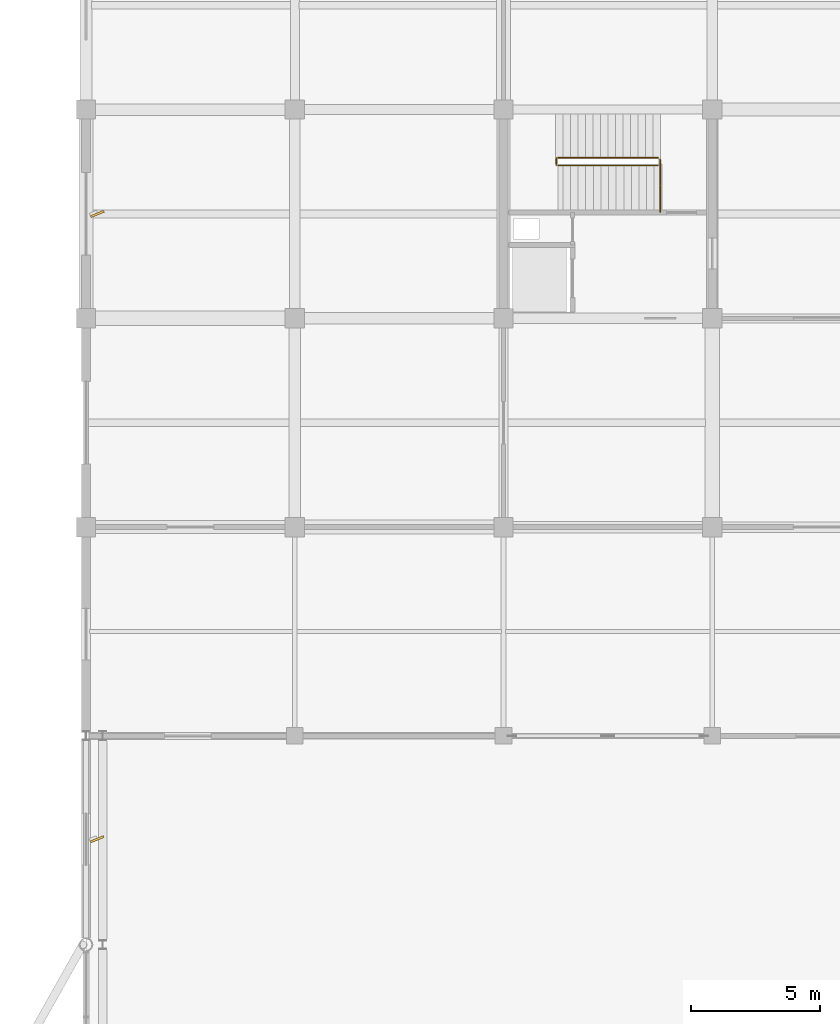
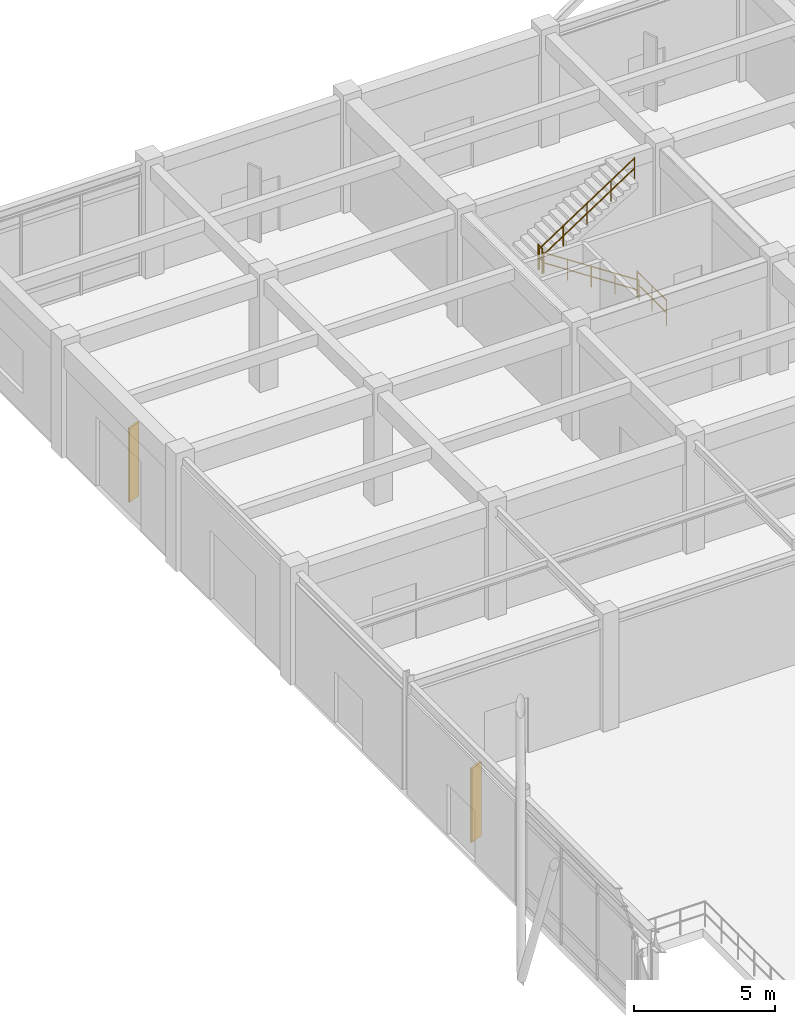
# One storey, part 92 of 99: 4 railings, 2 shading devices.
"""IFC4 building model written with IfcOpenShell, lengths in metres."""

from ifc_helpers import new_model, si_unit, direction, frame, origin, origin_2d, place, context, subcontext, project, spatial, rectangle, circle, extrude, material, type_object, element, save


model = new_model("IFC4")

# Units and contexts
model_context = context("Model", 3, precision=1e-05, world=origin(), true_north=direction((0.0, 1.0)))
body_context = subcontext(model_context, "Body", "Model", "MODEL_VIEW")
ifc_project = project(units=[si_unit("LENGTHUNIT", "METRE"), si_unit("AREAUNIT", "SQUARE_METRE"), si_unit("VOLUMEUNIT", "CUBIC_METRE"), si_unit("PLANEANGLEUNIT", "RADIAN"), si_unit("MASSUNIT", "GRAM", prefix="KILO")], contexts=[model_context])

# Site, building, storey
site_placement = place(None, origin())
site = spatial("IfcSite", under=ifc_project, at=site_placement, CompositionType="ELEMENT")
building_placement = place(site_placement, origin())
building = spatial("IfcBuilding", under=site, at=building_placement, Name="Vaudrelin Polytechnic", CompositionType="ELEMENT")
storey_placement = place(building_placement, origin())
storey = spatial("IfcBuildingStorey", under=building, at=storey_placement, Name="L00", CompositionType="ELEMENT", Elevation=0.0)

# Shading devices
ifc_material_1 = material(Name="Anodised perforated aluminium AA 5005", Category="aluminium")
shading_device_type = type_object("IfcShadingDeviceType", Name="ENV-SF-FIN1", PredefinedType="USERDEFINED", material=ifc_material_1)
for number, where, z_axis, x_axis, name in (
    (1, (0.429931640625, 85.0888671875, 0.2001953125), (0.0, 0.0, 1.0), (0.927183854567, 0.374606593416, 0.0), "Perforated solar fin SF-001"),
    (2, (0.43994140625, 109.35009765625, 0.2001953125), (0.0, 0.0, 1.0), (0.927183854567, 0.374606593416, 0.0), "Perforated solar fin SF-002"),
):
    element("IfcShadingDevice", number, at=place(storey_placement, frame(where, z_axis=z_axis, x_axis=x_axis)), inside=storey, type_object=shading_device_type, Name=name, ObjectType="SOLAR FIN", PredefinedType="USERDEFINED", context=body_context, shape_type="SweptSolid", body=[
        extrude(rectangle(XDim=0.550048828125, YDim=0.080078125, at=origin_2d()), origin(), (0.0, 0.0, 1.0), 3.199951171875),
    ])

# Railings
ifc_material_2 = material(Name="Brushed stainless steel AISI 304", Category="steel")
railing_type_1 = type_object("IfcRailingType", Name="RAL-GR-INT", PredefinedType="GUARDRAIL", material=ifc_material_2)
railing_1_placement = place(storey_placement, frame((22.280029296875, 109.409912109375, 0.0)))
element("IfcRailing", 3, at=railing_1_placement, inside=storey, type_object=railing_type_1, Name="ST-01-B1 upper well guardrail", PredefinedType="GUARDRAIL", context=body_context, shape_type="SweptSolid", body=[
    extrude(circle(Radius=0.02392578125, at=origin_2d()), frame((0.0, 0.023193359375, 1.09619140625), z_axis=(0.0, 1.0, 0.0), x_axis=(-1.0, 0.0, 0.0)), (0.0, 0.0, 1.0), 2.02392578125),
    extrude(circle(Radius=0.02392578125, at=origin_2d()), frame((0.0, 0.023193359375, 0.56005859375), z_axis=(0.0, 1.0, 0.0), x_axis=(-1.0, 0.0, 0.0)), (0.0, 0.0, 1.0), 2.02392578125),
    extrude(circle(Radius=0.02099609375, at=origin_2d()), origin(), (0.0, 0.0, 1.0), 1.1201171875),
    extrude(circle(Radius=0.02099609375, at=origin_2d()), frame((0.0, 1.03515625, 0.0)), (0.0, 0.0, 1.0), 1.1201171875),
    extrude(circle(Radius=0.02099609375, at=origin_2d()), frame((0.0, 2.070068359375, 0.0)), (0.0, 0.0, 1.0), 1.1201171875),
])
railing_2_placement = place(storey_placement, frame((18.25, 111.239990234375, 2.550048828125)))
element("IfcRailing", 4, at=railing_2_placement, inside=storey, type_object=railing_type_1, Name="ST-01-L00 landing well guardrail", PredefinedType="GUARDRAIL", context=body_context, shape_type="SweptSolid", body=[
    extrude(circle(Radius=0.02392578125, at=origin_2d()), frame((0.0, 0.023193359375, 1.09619140625), z_axis=(0.0, 1.0, 0.0), x_axis=(-1.0, 0.0, 0.0)), (0.0, 0.0, 1.0), 0.23388671875),
    extrude(circle(Radius=0.02392578125, at=origin_2d()), frame((0.0, 0.023193359375, 0.56005859375), z_axis=(0.0, 1.0, 0.0), x_axis=(-1.0, 0.0, 0.0)), (0.0, 0.0, 1.0), 0.23388671875),
    extrude(circle(Radius=0.02099609375, at=origin_2d()), origin(), (0.0, 0.0, 1.0), 1.1201171875),
    extrude(circle(Radius=0.02099609375, at=origin_2d()), frame((0.0, 0.280029296875, 0.0)), (0.0, 0.0, 1.0), 1.1201171875),
])
railing_type_2 = type_object("IfcRailingType", Name="RAL-HR-STR", PredefinedType="HANDRAIL", material=ifc_material_2)
railing_3_placement = place(storey_placement, frame((22.199951171875, 111.22998046875, 0.0)))
element("IfcRailing", 5, at=railing_3_placement, inside=storey, type_object=railing_type_2, Name="ST-01-L00 flight 1 handrail", PredefinedType="HANDRAIL", context=body_context, shape_type="SweptSolid", body=[
    extrude(circle(Radius=0.02392578125, at=origin_2d()), frame((-0.019287109375, 0.0, 0.908447265625), z_axis=(-0.83631341276, 0.0, 0.548251653566), x_axis=(0.0, -1.0, 0.0)), (0.0, 0.0, 1.0), 4.60498046875),
    extrude(circle(Radius=0.02392578125, at=origin_2d()), frame((-0.019287109375, 0.0, 0.47265625), z_axis=(-0.83631341276, 0.0, 0.548251653566), x_axis=(0.0, -1.0, 0.0)), (0.0, 0.0, 1.0), 4.60498046875),
    extrude(circle(Radius=0.02099609375, at=origin_2d()), origin(), (0.0, 0.0, 1.0), 0.919921875),
    extrude(circle(Radius=0.02099609375, at=origin_2d()), frame((-0.972412109375, 0.0, 0.637451171875)), (0.0, 0.0, 1.0), 0.919921875),
    extrude(circle(Radius=0.02099609375, at=origin_2d()), frame((-1.94482421875, 0.0, 1.27490234375)), (0.0, 0.0, 1.0), 0.919921875),
    extrude(circle(Radius=0.02099609375, at=origin_2d()), frame((-2.91748046875, 0.0, 1.91259765625)), (0.0, 0.0, 1.0), 0.919921875),
    extrude(circle(Radius=0.02099609375, at=origin_2d()), frame((-3.889892578125, 0.0, 2.550048828125)), (0.0, 0.0, 1.0), 0.919921875),
])
railing_4_placement = place(storey_placement, frame((18.31005859375, 111.530029296875, 2.550048828125)))
element("IfcRailing", 6, at=railing_4_placement, inside=storey, type_object=railing_type_2, Name="ST-01-L00 flight 2 handrail", PredefinedType="HANDRAIL", context=body_context, shape_type="SweptSolid", body=[
    extrude(circle(Radius=0.02392578125, at=origin_2d()), frame((0.019287109375, 0.0, 0.908447265625), z_axis=(0.83631341276, 0.0, 0.548251653566), x_axis=(0.0, 1.0, 0.0)), (0.0, 0.0, 1.0), 4.60498046875),
    extrude(circle(Radius=0.02392578125, at=origin_2d()), frame((0.019287109375, 0.0, 0.47265625), z_axis=(0.83631341276, 0.0, 0.548251653566), x_axis=(0.0, 1.0, 0.0)), (0.0, 0.0, 1.0), 4.60498046875),
    extrude(circle(Radius=0.02099609375, at=origin_2d()), origin(), (0.0, 0.0, 1.0), 0.919921875),
    extrude(circle(Radius=0.02099609375, at=origin_2d()), frame((0.972412109375, 0.0, 0.637451171875)), (0.0, 0.0, 1.0), 0.919921875),
    extrude(circle(Radius=0.02099609375, at=origin_2d()), frame((1.94482421875, 0.0, 1.27490234375)), (0.0, 0.0, 1.0), 0.919921875),
    extrude(circle(Radius=0.02099609375, at=origin_2d()), frame((2.91748046875, 0.0, 1.91259765625)), (0.0, 0.0, 1.0), 0.919921875),
    extrude(circle(Radius=0.02099609375, at=origin_2d()), frame((3.889892578125, 0.0, 2.550048828125)), (0.0, 0.0, 1.0), 0.919921875),
])

save(model, "model.ifc")
